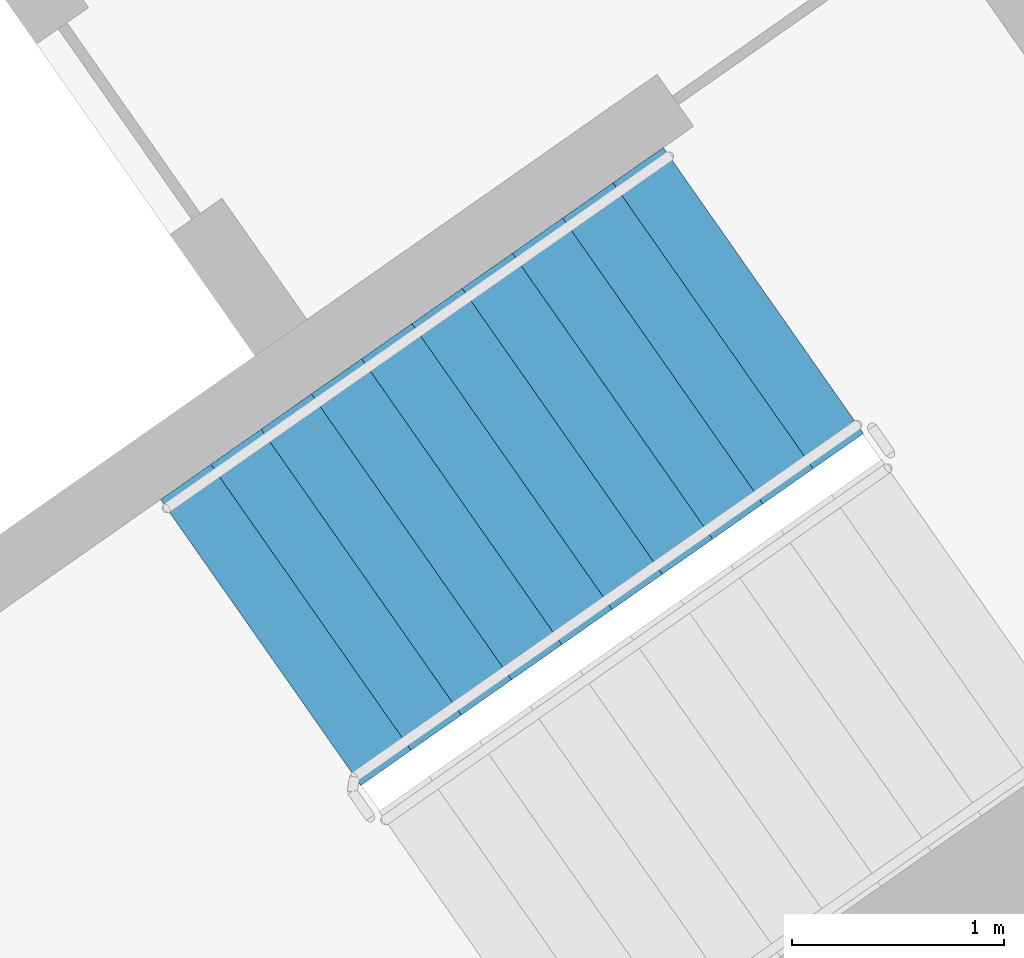
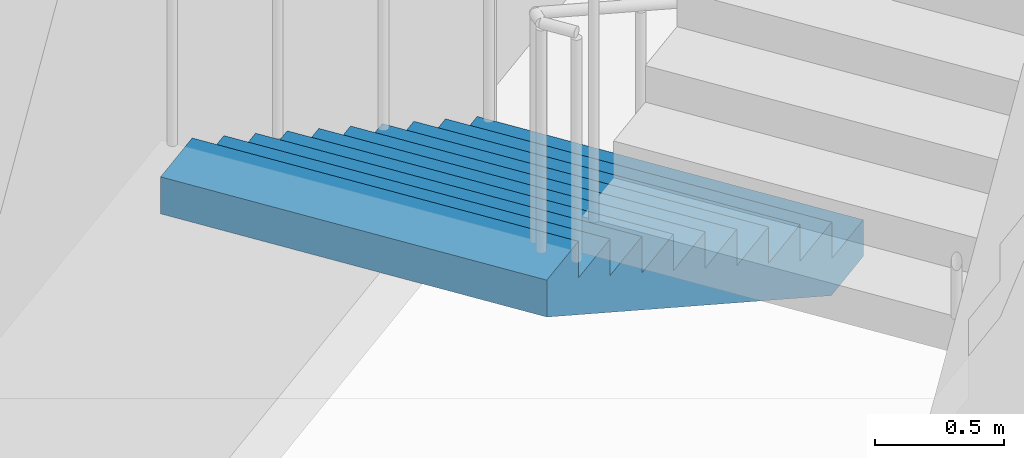
# One storey, part 13 of 27: 1 stair flight, 1 element without a shape of its own.
"""IFC4 building model written with IfcOpenShell, lengths in metres."""

import ifcopenshell
import ifcopenshell.guid

model = None  # the IFC model being written
_history = None  # IfcOwnerHistory: only IFC2X3 demands one
_inside = {}  # id of a spatial element -> (the spatial element, [elements in it])
_under = {}  # id of a project, library or spatial element -> (it, [spatial elements below it])
_declared = {}  # id of a project -> (the project, [libraries it declares])
_typed = {}  # id of a type object -> (the type object, [elements of that type])
_made_of = {}  # id of a material, layer set ... -> (it, [elements and type objects made of it])


def new_model(schema):
    """Start an empty IFC model of exactly this schema.

    Asked for "IFC4X3", IfcOpenShell would pick the latest addendum, in which some entities
    have other attributes; the version numbers below select the first issue.
    IFC2X3 requires an IfcOwnerHistory on every rooted entity: one is made here for all.
    """
    global model, _history
    if schema == "IFC4X3":
        model = ifcopenshell.file(schema_version=(4, 3, 0, 0))
    else:
        model = ifcopenshell.file(schema=schema)
    _inside.clear()
    _under.clear()
    _declared.clear()
    _typed.clear()
    _made_of.clear()
    _history = None
    if model.schema == "IFC2X3":
        org = make("IfcOrganization", Name="unknown")
        user = make(
            "IfcPersonAndOrganization",
            ThePerson=make("IfcPerson", FamilyName="unknown"),
            TheOrganization=org,
        )
        app = make(
            "IfcApplication",
            ApplicationDeveloper=org,
            Version="unknown",
            ApplicationFullName="unknown",
            ApplicationIdentifier="unknown",
        )
        _history = make(
            "IfcOwnerHistory",
            OwningUser=user,
            OwningApplication=app,
            ChangeAction="ADDED",
            CreationDate=0,
        )
    return model


def make(cls, **values):
    """One entity of the class cls with the attributes given. An attribute that is None is left unset."""
    return model.create_entity(
        cls, **{name: value for name, value in values.items() if value is not None}
    )


def rooted(cls, **values):
    """An entity with a GlobalId (a new one), such as an element, a storey or a relation."""
    return make(cls, GlobalId=ifcopenshell.guid.new(), OwnerHistory=_history, **values)


def si_unit(unit_type, name, prefix=None):
    """IfcSIUnit, for example si_unit("LENGTHUNIT", "METRE", prefix="MILLI")."""
    return make("IfcSIUnit", UnitType=unit_type, Prefix=prefix, Name=name)


def assignment(units):
    """IfcUnitAssignment: the units of a project."""
    return None if units is None else make("IfcUnitAssignment", Units=units)


def point(xyz):
    """IfcCartesianPoint."""
    return None if xyz is None else make("IfcCartesianPoint", Coordinates=xyz)


def direction(xyz):
    """IfcDirection."""
    return None if xyz is None else make("IfcDirection", DirectionRatios=xyz)


def frame(location, z_axis=None, x_axis=None):
    """IfcAxis2Placement3D, a coordinate frame: its origin and axes. An axis left out is left unset."""
    return make(
        "IfcAxis2Placement3D",
        Location=point(location),
        Axis=direction(z_axis),
        RefDirection=direction(x_axis),
    )


def origin():
    """The frame at (0, 0, 0) with its axes left unset."""
    return frame((0.0, 0.0, 0.0))


def place(relative_to, where):
    """IfcLocalPlacement: puts the frame where relative to a parent placement (None: the world)."""
    return make(
        "IfcLocalPlacement", PlacementRelTo=relative_to, RelativePlacement=where
    )


def context(
    kind, dimensions, precision=None, world=None, true_north=None, identifier=None
):
    """IfcGeometricRepresentationContext, for example the 3D "Model" context."""
    return make(
        "IfcGeometricRepresentationContext",
        ContextIdentifier=identifier,
        ContextType=kind,
        CoordinateSpaceDimension=dimensions,
        Precision=precision,
        WorldCoordinateSystem=world,
        TrueNorth=true_north,
    )


def subcontext(parent, identifier, kind, view, scale=None):
    """IfcGeometricRepresentationSubContext, for example "Body" below "Model"."""
    return make(
        "IfcGeometricRepresentationSubContext",
        ContextIdentifier=identifier,
        ContextType=kind,
        ParentContext=parent,
        TargetScale=scale,
        TargetView=view,
    )


def project(units=None, contexts=None):
    """IfcProject with its units and contexts."""
    return rooted(
        "IfcProject",
        Name="project",
        RepresentationContexts=contexts,
        UnitsInContext=assignment(units),
    )


def spatial(cls, under=None, at=None, **own):
    """A site, building, storey or space (cls), placed at a placement, below another one or the project."""
    s = rooted(cls, ObjectPlacement=at, **own)
    if under is not None:
        _under.setdefault(under.id(), (under, []))[1].append(s)
    return s


def faces_of(points, faces, orient=None, outer=None):
    """IfcFace entities. A face is a list of loops; a loop is a list of indices into points, from 0.

    orient and outer hold one flag for each loop. By default every Orientation is true, the
    first loop of a face is its IfcFaceOuterBound and the others are IfcFaceBound.
    """
    made = []
    for i, loops in enumerate(faces):
        bounds = []
        for j, loop in enumerate(loops):
            is_outer = j == 0 if outer is None else outer[i][j]
            bounds.append(
                make(
                    "IfcFaceOuterBound" if is_outer else "IfcFaceBound",
                    Bound=make("IfcPolyLoop", Polygon=[points[k] for k in loop]),
                    Orientation=True if orient is None else orient[i][j],
                )
            )
        made.append(make("IfcFace", Bounds=bounds))
    return made


def faceted_brep(points, faces, orient=None, outer=None, voids=None):
    """IfcFacetedBrep: a solid bounded by flat faces; with voids (closed shells), ...WithVoids."""
    shared = [point(p) for p in points]
    hull = make("IfcClosedShell", CfsFaces=faces_of(shared, faces, orient, outer))
    if voids is None:
        return make("IfcFacetedBrep", Outer=hull)
    return make(
        "IfcFacetedBrepWithVoids",
        Outer=hull,
        Voids=[
            make(cls, CfsFaces=faces_of(shared, fs, o, b)) for cls, fs, o, b in voids
        ],
    )


def shape(context_of_items, identifier, shape_type, items):
    """IfcShapeRepresentation: the items that make up one representation, for example the "Body"."""
    return make(
        "IfcShapeRepresentation",
        ContextOfItems=context_of_items,
        RepresentationIdentifier=identifier,
        RepresentationType=shape_type,
        Items=items,
    )


def material(Name=None, Category=None):
    """IfcMaterial."""
    return make("IfcMaterial", Name=Name, Category=Category)


def made_of(thing, what):
    """Note that an element or type object is made of a material, layer set ...; save() writes the relation."""
    if what is not None:
        _made_of.setdefault(what.id(), (what, []))[1].append(thing)
    return thing


def type_object(cls, material=None, **own):
    """A type object (cls), such as IfcWallType, which elements share."""
    return made_of(rooted(cls, **own), material)


def element(
    cls,
    number,
    at=None,
    inside=None,
    cuts=None,
    type_object=None,
    material=None,
    context=None,
    identifier="Body",
    shape_type=None,
    held_by="IfcProductDefinitionShape",
    body=None,
    shapes=None,
    **own,
):
    """One element of the class cls, such as IfcWall. Its Tag is "e" and its number.

    at: its placement. inside: the storey or other place that contains it. cuts: it is an
    opening in that element (IfcRelVoidsElement). A single representation is given by context,
    identifier, shape_type and body (its items); several are given by shapes. held_by: the class
    of the entity that holds the representations. save() writes the other relations.
    """
    e = rooted(cls, Tag="e%d" % number, ObjectPlacement=at, **own)
    if body is not None:
        shapes = [shape(context, identifier, shape_type, body)]
    if shapes is not None:
        e.Representation = make(held_by, Representations=shapes)
    if inside is not None:
        _inside.setdefault(inside.id(), (inside, []))[1].append(e)
    if cuts is not None:
        rooted(
            "IfcRelVoidsElement", RelatingBuildingElement=cuts, RelatedOpeningElement=e
        )
    if type_object is not None:
        _typed.setdefault(type_object.id(), (type_object, []))[1].append(e)
    return made_of(e, material)


def aggregate(whole, parts):
    """IfcRelAggregates: a whole, such as a stair, and the parts it consists of."""
    return rooted("IfcRelAggregates", RelatingObject=whole, RelatedObjects=parts)


def save(model, path):
    """Write the relations noted so far, then the file.

    IfcRelAggregates (storeys below a building ...), IfcRelContainedInSpatialStructure (elements
    in a storey), IfcRelDefinesByType, IfcRelAssociatesMaterial and IfcRelDeclares: one each for
    every whole, place, type object, material and project.
    """
    for whole, parts in _under.values():
        aggregate(whole, parts)
    for where, things in _inside.values():
        rooted(
            "IfcRelContainedInSpatialStructure",
            RelatedElements=things,
            RelatingStructure=where,
        )
    for kind, things in _typed.values():
        rooted("IfcRelDefinesByType", RelatedObjects=things, RelatingType=kind)
    for what, things in _made_of.values():
        rooted("IfcRelAssociatesMaterial", RelatedObjects=things, RelatingMaterial=what)
    for by, libraries in _declared.values():
        rooted("IfcRelDeclares", RelatingContext=by, RelatedDefinitions=libraries)
    model.write(path)


model = new_model("IFC4")

# Units and contexts
model_context = context("Model", 3, precision=1e-05, world=origin(), true_north=direction((0.0, 1.0)))
body_context = subcontext(model_context, "Body", "Model", "MODEL_VIEW")
ifc_project = project(units=[si_unit("LENGTHUNIT", "METRE"), si_unit("AREAUNIT", "SQUARE_METRE"), si_unit("VOLUMEUNIT", "CUBIC_METRE"), si_unit("PLANEANGLEUNIT", "RADIAN"), si_unit("MASSUNIT", "GRAM", prefix="KILO")], contexts=[model_context])

# Site, building, storey
site_placement = place(None, origin())
site = spatial("IfcSite", under=ifc_project, at=site_placement, CompositionType="ELEMENT")
building_placement = place(site_placement, origin())
building = spatial("IfcBuilding", under=site, at=building_placement, Name="Qamariyya Broadcast Tower", CompositionType="ELEMENT")
storey_placement = place(building_placement, frame((0.0, 0.0, 172.10009765625)))
storey = spatial("IfcBuildingStorey", under=building, at=storey_placement, Name="L40", CompositionType="ELEMENT", Elevation=172.10009765625)

# Stair, stair flight
ifc_material = material(Name="Concrete C50/60", Category="concrete")
stair_type = type_object("IfcStairType", Name="Exit stair 22 risers of 173 mm", PredefinedType="HALF_TURN_STAIR", material=ifc_material)
stair_placement = place(storey_placement, origin())
stair = element("IfcStair", 1, at=stair_placement, inside=storey, type_object=stair_type, Name="L40 Stair E1", PredefinedType="HALF_TURN_STAIR")
stair_flight_type = type_object("IfcStairFlightType", Name="Exit stair flight 11 risers of 173 mm", PredefinedType="STRAIGHT", material=ifc_material)
stair_flight_placement = place(storey_placement, frame((46.036376953125, -55.508056640625, 0.0), z_axis=(0.0, 0.0, 1.0), x_axis=(-0.819152044289, -0.573576436351, 0.0)))
stair_flight = element("IfcStairFlight", 2, at=stair_flight_placement, type_object=stair_flight_type, Name="ST-E1 flight 1", NumberOfRisers=11, NumberOfTreads=10, PredefinedType="STRAIGHT", RiserHeight=0.172727273, TreadLength=0.29, context=body_context, shape_type="Brep", body=[
    faceted_brep([(0.0, 0.824951171875, 0.0), (0.0, 0.824951171875, 0.172607421875), (0.2900390625, 0.824951171875, 0.172607421875), (0.2900390625, 0.824951171875, 0.345458984375), (0.580078125, 0.824951171875, 0.345458984375), (0.580078125, 0.824951171875, 0.51806640625), (0.8701171875, 0.824951171875, 0.51806640625), (0.8701171875, 0.824951171875, 0.69091796875), (1.159912109375, 0.824951171875, 0.69091796875), (1.159912109375, 0.824951171875, 0.863525390625), (1.449951171875, 0.824951171875, 0.863525390625), (1.449951171875, 0.824951171875, 1.036376953125), (1.739990234375, 0.824951171875, 1.036376953125), (1.739990234375, 0.824951171875, 1.208984375), (2.030029296875, 0.824951171875, 1.208984375), (2.030029296875, 0.824951171875, 1.3818359375), (2.320068359375, 0.824951171875, 1.3818359375), (2.320068359375, 0.824951171875, 1.554443359375), (2.610107421875, 0.824951171875, 1.554443359375), (2.610107421875, 0.824951171875, 1.727294921875), (2.89990234375, 0.824951171875, 1.727294921875), (2.89990234375, 0.824951171875, 1.552734375), (0.29296875, 0.824951171875, 0.0), (0.29296875, -0.824951171875, 0.0), (2.89990234375, -0.824951171875, 1.552734375), (2.89990234375, -0.824951171875, 1.727294921875), (2.610107421875, -0.824951171875, 1.727294921875), (2.610107421875, -0.824951171875, 1.554443359375), (2.320068359375, -0.824951171875, 1.554443359375), (2.320068359375, -0.824951171875, 1.3818359375), (2.030029296875, -0.824951171875, 1.3818359375), (2.030029296875, -0.824951171875, 1.208984375), (1.739990234375, -0.824951171875, 1.208984375), (1.739990234375, -0.824951171875, 1.036376953125), (1.449951171875, -0.824951171875, 1.036376953125), (1.449951171875, -0.824951171875, 0.863525390625), (1.159912109375, -0.824951171875, 0.863525390625), (1.159912109375, -0.824951171875, 0.69091796875), (0.8701171875, -0.824951171875, 0.69091796875), (0.8701171875, -0.824951171875, 0.51806640625), (0.580078125, -0.824951171875, 0.51806640625), (0.580078125, -0.824951171875, 0.345458984375), (0.2900390625, -0.824951171875, 0.345458984375), (0.2900390625, -0.824951171875, 0.172607421875), (0.0, -0.824951171875, 0.172607421875), (0.0, -0.824951171875, 0.0), (0.0, 0.10009765625, 0.0), (0.0, 0.086669921875, 0.0), (0.0, 0.0732421875, 0.0), (0.0, 0.06005859375, 0.0), (0.0, 0.046630859375, 0.0), (0.0, 0.033447265625, 0.0), (0.0, 0.02001953125, 0.0), (0.0, 0.006591796875, 0.0), (0.0, -0.006591796875, 0.0), (0.0, -0.02001953125, 0.0), (0.0, -0.033447265625, 0.0), (0.0, -0.046630859375, 0.0), (0.0, -0.06005859375, 0.0), (0.0, -0.0732421875, 0.0), (0.0, -0.086669921875, 0.0), (0.0, -0.10009765625, 0.0), (0.0, -0.10009765625, 0.172607421875), (0.0, -0.086669921875, 0.172607421875), (0.0, -0.0732421875, 0.172607421875), (0.0, -0.06005859375, 0.172607421875), (0.0, -0.046630859375, 0.172607421875), (0.0, -0.033447265625, 0.172607421875), (0.0, -0.02001953125, 0.172607421875), (0.0, -0.006591796875, 0.172607421875), (0.0, 0.006591796875, 0.172607421875), (0.0, 0.02001953125, 0.172607421875), (0.0, 0.033447265625, 0.172607421875), (0.0, 0.046630859375, 0.172607421875), (0.0, 0.06005859375, 0.172607421875), (0.0, 0.0732421875, 0.172607421875), (0.0, 0.086669921875, 0.172607421875), (0.0, 0.10009765625, 0.172607421875), (0.2900390625, -0.10009765625, 0.172607421875), (0.2900390625, -0.086669921875, 0.172607421875), (0.2900390625, -0.0732421875, 0.172607421875), (0.2900390625, -0.06005859375, 0.172607421875), (0.2900390625, -0.046630859375, 0.172607421875), (0.2900390625, -0.033447265625, 0.172607421875), (0.2900390625, -0.02001953125, 0.172607421875), (0.2900390625, -0.006591796875, 0.172607421875), (0.2900390625, 0.006591796875, 0.172607421875), (0.2900390625, 0.02001953125, 0.172607421875), (0.2900390625, 0.033447265625, 0.172607421875), (0.2900390625, 0.046630859375, 0.172607421875), (0.2900390625, 0.06005859375, 0.172607421875), (0.2900390625, 0.0732421875, 0.172607421875), (0.2900390625, 0.086669921875, 0.172607421875), (0.2900390625, 0.10009765625, 0.172607421875), (0.2900390625, -0.10009765625, 0.345458984375), (0.2900390625, -0.086669921875, 0.345458984375), (0.2900390625, -0.0732421875, 0.345458984375), (0.2900390625, -0.06005859375, 0.345458984375), (0.2900390625, -0.046630859375, 0.345458984375), (0.2900390625, -0.033447265625, 0.345458984375), (0.2900390625, -0.02001953125, 0.345458984375), (0.2900390625, -0.006591796875, 0.345458984375), (0.2900390625, 0.006591796875, 0.345458984375), (0.2900390625, 0.02001953125, 0.345458984375), (0.2900390625, 0.033447265625, 0.345458984375), (0.2900390625, 0.046630859375, 0.345458984375), (0.2900390625, 0.06005859375, 0.345458984375), (0.2900390625, 0.0732421875, 0.345458984375), (0.2900390625, 0.086669921875, 0.345458984375), (0.2900390625, 0.10009765625, 0.345458984375), (0.580078125, -0.10009765625, 0.345458984375), (0.580078125, -0.086669921875, 0.345458984375), (0.580078125, -0.0732421875, 0.345458984375), (0.580078125, -0.06005859375, 0.345458984375), (0.580078125, -0.046630859375, 0.345458984375), (0.580078125, -0.033447265625, 0.345458984375), (0.580078125, -0.02001953125, 0.345458984375), (0.580078125, -0.006591796875, 0.345458984375), (0.580078125, 0.006591796875, 0.345458984375), (0.580078125, 0.02001953125, 0.345458984375), (0.580078125, 0.033447265625, 0.345458984375), (0.580078125, 0.046630859375, 0.345458984375), (0.580078125, 0.06005859375, 0.345458984375), (0.580078125, 0.0732421875, 0.345458984375), (0.580078125, 0.086669921875, 0.345458984375), (0.580078125, 0.10009765625, 0.345458984375), (0.580078125, -0.10009765625, 0.51806640625), (0.580078125, -0.086669921875, 0.51806640625), (0.580078125, -0.0732421875, 0.51806640625), (0.580078125, -0.06005859375, 0.51806640625), (0.580078125, -0.046630859375, 0.51806640625), (0.580078125, -0.033447265625, 0.51806640625), (0.580078125, -0.02001953125, 0.51806640625), (0.580078125, -0.006591796875, 0.51806640625), (0.580078125, 0.006591796875, 0.51806640625), (0.580078125, 0.02001953125, 0.51806640625), (0.580078125, 0.033447265625, 0.51806640625), (0.580078125, 0.046630859375, 0.51806640625), (0.580078125, 0.06005859375, 0.51806640625), (0.580078125, 0.0732421875, 0.51806640625), (0.580078125, 0.086669921875, 0.51806640625), (0.580078125, 0.10009765625, 0.51806640625), (0.8701171875, -0.10009765625, 0.51806640625), (0.8701171875, -0.086669921875, 0.51806640625), (0.8701171875, -0.0732421875, 0.51806640625), (0.8701171875, -0.06005859375, 0.51806640625), (0.8701171875, -0.046630859375, 0.51806640625), (0.8701171875, -0.033447265625, 0.51806640625), (0.8701171875, -0.02001953125, 0.51806640625), (0.8701171875, -0.006591796875, 0.51806640625), (0.8701171875, 0.006591796875, 0.51806640625), (0.8701171875, 0.02001953125, 0.51806640625), (0.8701171875, 0.033447265625, 0.51806640625), (0.8701171875, 0.046630859375, 0.51806640625), (0.8701171875, 0.06005859375, 0.51806640625), (0.8701171875, 0.0732421875, 0.51806640625), (0.8701171875, 0.086669921875, 0.51806640625), (0.8701171875, 0.10009765625, 0.51806640625), (0.8701171875, -0.10009765625, 0.69091796875), (0.8701171875, -0.086669921875, 0.69091796875), (0.8701171875, -0.0732421875, 0.69091796875), (0.8701171875, -0.06005859375, 0.69091796875), (0.8701171875, -0.046630859375, 0.69091796875), (0.8701171875, -0.033447265625, 0.69091796875), (0.8701171875, -0.02001953125, 0.69091796875), (0.8701171875, -0.006591796875, 0.69091796875), (0.8701171875, 0.006591796875, 0.69091796875), (0.8701171875, 0.02001953125, 0.69091796875), (0.8701171875, 0.033447265625, 0.69091796875), (0.8701171875, 0.046630859375, 0.69091796875), (0.8701171875, 0.06005859375, 0.69091796875), (0.8701171875, 0.0732421875, 0.69091796875), (0.8701171875, 0.086669921875, 0.69091796875), (0.8701171875, 0.10009765625, 0.69091796875), (1.159912109375, -0.10009765625, 0.69091796875), (1.159912109375, -0.086669921875, 0.69091796875), (1.159912109375, -0.0732421875, 0.69091796875), (1.159912109375, -0.06005859375, 0.69091796875), (1.159912109375, -0.046630859375, 0.69091796875), (1.159912109375, -0.033447265625, 0.69091796875), (1.159912109375, -0.02001953125, 0.69091796875), (1.159912109375, -0.006591796875, 0.69091796875), (1.159912109375, 0.006591796875, 0.69091796875), (1.159912109375, 0.02001953125, 0.69091796875), (1.159912109375, 0.033447265625, 0.69091796875), (1.159912109375, 0.046630859375, 0.69091796875), (1.159912109375, 0.06005859375, 0.69091796875), (1.159912109375, 0.0732421875, 0.69091796875), (1.159912109375, 0.086669921875, 0.69091796875), (1.159912109375, 0.10009765625, 0.69091796875), (1.159912109375, -0.10009765625, 0.863525390625), (1.159912109375, -0.086669921875, 0.863525390625), (1.159912109375, -0.0732421875, 0.863525390625), (1.159912109375, -0.06005859375, 0.863525390625), (1.159912109375, -0.046630859375, 0.863525390625), (1.159912109375, -0.033447265625, 0.863525390625), (1.159912109375, -0.02001953125, 0.863525390625), (1.159912109375, -0.006591796875, 0.863525390625), (1.159912109375, 0.006591796875, 0.863525390625), (1.159912109375, 0.02001953125, 0.863525390625), (1.159912109375, 0.033447265625, 0.863525390625), (1.159912109375, 0.046630859375, 0.863525390625), (1.159912109375, 0.06005859375, 0.863525390625), (1.159912109375, 0.0732421875, 0.863525390625), (1.159912109375, 0.086669921875, 0.863525390625), (1.159912109375, 0.10009765625, 0.863525390625), (1.449951171875, -0.10009765625, 0.863525390625), (1.449951171875, -0.086669921875, 0.863525390625), (1.449951171875, -0.0732421875, 0.863525390625), (1.449951171875, -0.06005859375, 0.863525390625), (1.449951171875, -0.046630859375, 0.863525390625), (1.449951171875, -0.033447265625, 0.863525390625), (1.449951171875, -0.02001953125, 0.863525390625), (1.449951171875, -0.006591796875, 0.863525390625), (1.449951171875, 0.006591796875, 0.863525390625), (1.449951171875, 0.02001953125, 0.863525390625), (1.449951171875, 0.033447265625, 0.863525390625), (1.449951171875, 0.046630859375, 0.863525390625), (1.449951171875, 0.06005859375, 0.863525390625), (1.449951171875, 0.0732421875, 0.863525390625), (1.449951171875, 0.086669921875, 0.863525390625), (1.449951171875, 0.10009765625, 0.863525390625), (1.449951171875, -0.10009765625, 1.036376953125), (1.449951171875, -0.086669921875, 1.036376953125), (1.449951171875, -0.0732421875, 1.036376953125), (1.449951171875, -0.06005859375, 1.036376953125), (1.449951171875, -0.046630859375, 1.036376953125), (1.449951171875, -0.033447265625, 1.036376953125), (1.449951171875, -0.02001953125, 1.036376953125), (1.449951171875, -0.006591796875, 1.036376953125), (1.449951171875, 0.006591796875, 1.036376953125), (1.449951171875, 0.02001953125, 1.036376953125), (1.449951171875, 0.033447265625, 1.036376953125), (1.449951171875, 0.046630859375, 1.036376953125), (1.449951171875, 0.06005859375, 1.036376953125), (1.449951171875, 0.0732421875, 1.036376953125), (1.449951171875, 0.086669921875, 1.036376953125), (1.449951171875, 0.10009765625, 1.036376953125), (1.739990234375, -0.10009765625, 1.036376953125), (1.739990234375, -0.086669921875, 1.036376953125), (1.739990234375, -0.0732421875, 1.036376953125), (1.739990234375, -0.06005859375, 1.036376953125), (1.739990234375, -0.046630859375, 1.036376953125), (1.739990234375, -0.033447265625, 1.036376953125), (1.739990234375, -0.02001953125, 1.036376953125), (1.739990234375, -0.006591796875, 1.036376953125), (1.739990234375, 0.006591796875, 1.036376953125), (1.739990234375, 0.02001953125, 1.036376953125), (1.739990234375, 0.033447265625, 1.036376953125), (1.739990234375, 0.046630859375, 1.036376953125), (1.739990234375, 0.06005859375, 1.036376953125), (1.739990234375, 0.0732421875, 1.036376953125), (1.739990234375, 0.086669921875, 1.036376953125), (1.739990234375, 0.10009765625, 1.036376953125), (1.739990234375, -0.10009765625, 1.208984375), (1.739990234375, -0.086669921875, 1.208984375), (1.739990234375, -0.0732421875, 1.208984375), (1.739990234375, -0.06005859375, 1.208984375), (1.739990234375, -0.046630859375, 1.208984375), (1.739990234375, -0.033447265625, 1.208984375), (1.739990234375, -0.02001953125, 1.208984375), (1.739990234375, -0.006591796875, 1.208984375), (1.739990234375, 0.006591796875, 1.208984375), (1.739990234375, 0.02001953125, 1.208984375), (1.739990234375, 0.033447265625, 1.208984375), (1.739990234375, 0.046630859375, 1.208984375), (1.739990234375, 0.06005859375, 1.208984375), (1.739990234375, 0.0732421875, 1.208984375), (1.739990234375, 0.086669921875, 1.208984375), (1.739990234375, 0.10009765625, 1.208984375), (2.030029296875, -0.10009765625, 1.208984375), (2.030029296875, -0.086669921875, 1.208984375), (2.030029296875, -0.0732421875, 1.208984375), (2.030029296875, -0.06005859375, 1.208984375), (2.030029296875, -0.046630859375, 1.208984375), (2.030029296875, -0.033447265625, 1.208984375), (2.030029296875, -0.02001953125, 1.208984375), (2.030029296875, -0.006591796875, 1.208984375), (2.030029296875, 0.006591796875, 1.208984375), (2.030029296875, 0.02001953125, 1.208984375), (2.030029296875, 0.033447265625, 1.208984375), (2.030029296875, 0.046630859375, 1.208984375), (2.030029296875, 0.06005859375, 1.208984375), (2.030029296875, 0.0732421875, 1.208984375), (2.030029296875, 0.086669921875, 1.208984375), (2.030029296875, 0.10009765625, 1.208984375), (2.030029296875, -0.10009765625, 1.3818359375), (2.030029296875, -0.086669921875, 1.3818359375), (2.030029296875, -0.0732421875, 1.3818359375), (2.030029296875, -0.06005859375, 1.3818359375), (2.030029296875, -0.046630859375, 1.3818359375), (2.030029296875, -0.033447265625, 1.3818359375), (2.030029296875, -0.02001953125, 1.3818359375), (2.030029296875, -0.006591796875, 1.3818359375), (2.030029296875, 0.006591796875, 1.3818359375), (2.030029296875, 0.02001953125, 1.3818359375), (2.030029296875, 0.033447265625, 1.3818359375), (2.030029296875, 0.046630859375, 1.3818359375), (2.030029296875, 0.06005859375, 1.3818359375), (2.030029296875, 0.0732421875, 1.3818359375), (2.030029296875, 0.086669921875, 1.3818359375), (2.030029296875, 0.10009765625, 1.3818359375), (2.320068359375, -0.10009765625, 1.3818359375), (2.320068359375, -0.086669921875, 1.3818359375), (2.320068359375, -0.0732421875, 1.3818359375), (2.320068359375, -0.06005859375, 1.3818359375), (2.320068359375, -0.046630859375, 1.3818359375), (2.320068359375, -0.033447265625, 1.3818359375), (2.320068359375, -0.02001953125, 1.3818359375), (2.320068359375, -0.006591796875, 1.3818359375), (2.320068359375, 0.006591796875, 1.3818359375), (2.320068359375, 0.02001953125, 1.3818359375), (2.320068359375, 0.033447265625, 1.3818359375), (2.320068359375, 0.046630859375, 1.3818359375), (2.320068359375, 0.06005859375, 1.3818359375), (2.320068359375, 0.0732421875, 1.3818359375), (2.320068359375, 0.086669921875, 1.3818359375), (2.320068359375, 0.10009765625, 1.3818359375), (2.320068359375, -0.10009765625, 1.554443359375), (2.320068359375, -0.086669921875, 1.554443359375), (2.320068359375, -0.0732421875, 1.554443359375), (2.320068359375, -0.06005859375, 1.554443359375), (2.320068359375, -0.046630859375, 1.554443359375), (2.320068359375, -0.033447265625, 1.554443359375), (2.320068359375, -0.02001953125, 1.554443359375), (2.320068359375, -0.006591796875, 1.554443359375), (2.320068359375, 0.006591796875, 1.554443359375), (2.320068359375, 0.02001953125, 1.554443359375), (2.320068359375, 0.033447265625, 1.554443359375), (2.320068359375, 0.046630859375, 1.554443359375), (2.320068359375, 0.06005859375, 1.554443359375), (2.320068359375, 0.0732421875, 1.554443359375), (2.320068359375, 0.086669921875, 1.554443359375), (2.320068359375, 0.10009765625, 1.554443359375), (2.610107421875, -0.10009765625, 1.554443359375), (2.610107421875, -0.086669921875, 1.554443359375), (2.610107421875, -0.0732421875, 1.554443359375), (2.610107421875, -0.06005859375, 1.554443359375), (2.610107421875, -0.046630859375, 1.554443359375), (2.610107421875, -0.033447265625, 1.554443359375), (2.610107421875, -0.02001953125, 1.554443359375), (2.610107421875, -0.006591796875, 1.554443359375), (2.610107421875, 0.006591796875, 1.554443359375), (2.610107421875, 0.02001953125, 1.554443359375), (2.610107421875, 0.033447265625, 1.554443359375), (2.610107421875, 0.046630859375, 1.554443359375), (2.610107421875, 0.06005859375, 1.554443359375), (2.610107421875, 0.0732421875, 1.554443359375), (2.610107421875, 0.086669921875, 1.554443359375), (2.610107421875, 0.10009765625, 1.554443359375), (2.610107421875, -0.10009765625, 1.727294921875), (2.610107421875, -0.086669921875, 1.727294921875), (2.610107421875, -0.0732421875, 1.727294921875), (2.610107421875, -0.06005859375, 1.727294921875), (2.610107421875, -0.046630859375, 1.727294921875), (2.610107421875, -0.033447265625, 1.727294921875), (2.610107421875, -0.02001953125, 1.727294921875), (2.610107421875, -0.006591796875, 1.727294921875), (2.610107421875, 0.006591796875, 1.727294921875), (2.610107421875, 0.02001953125, 1.727294921875), (2.610107421875, 0.033447265625, 1.727294921875), (2.610107421875, 0.046630859375, 1.727294921875), (2.610107421875, 0.06005859375, 1.727294921875), (2.610107421875, 0.0732421875, 1.727294921875), (2.610107421875, 0.086669921875, 1.727294921875), (2.610107421875, 0.10009765625, 1.727294921875), (2.89990234375, -0.10009765625, 1.727294921875), (2.89990234375, -0.086669921875, 1.727294921875), (2.89990234375, -0.0732421875, 1.727294921875), (2.89990234375, -0.06005859375, 1.727294921875), (2.89990234375, -0.046630859375, 1.727294921875), (2.89990234375, -0.033447265625, 1.727294921875), (2.89990234375, -0.02001953125, 1.727294921875), (2.89990234375, -0.006591796875, 1.727294921875), (2.89990234375, 0.006591796875, 1.727294921875), (2.89990234375, 0.02001953125, 1.727294921875), (2.89990234375, 0.033447265625, 1.727294921875), (2.89990234375, 0.046630859375, 1.727294921875), (2.89990234375, 0.06005859375, 1.727294921875), (2.89990234375, 0.0732421875, 1.727294921875), (2.89990234375, 0.086669921875, 1.727294921875), (2.89990234375, 0.10009765625, 1.727294921875), (2.89990234375, -0.10009765625, 1.552734375), (2.89990234375, -0.086669921875, 1.552734375), (2.89990234375, -0.0732421875, 1.552734375), (2.89990234375, -0.06005859375, 1.552734375), (2.89990234375, -0.046630859375, 1.552734375), (2.89990234375, -0.033447265625, 1.552734375), (2.89990234375, -0.02001953125, 1.552734375), (2.89990234375, -0.006591796875, 1.552734375), (2.89990234375, 0.006591796875, 1.552734375), (2.89990234375, 0.02001953125, 1.552734375), (2.89990234375, 0.033447265625, 1.552734375), (2.89990234375, 0.046630859375, 1.552734375), (2.89990234375, 0.06005859375, 1.552734375), (2.89990234375, 0.0732421875, 1.552734375), (2.89990234375, 0.086669921875, 1.552734375), (2.89990234375, 0.10009765625, 1.552734375), (0.29296875, -0.10009765625, 0.0), (0.29296875, -0.086669921875, 0.0), (0.29296875, -0.0732421875, 0.0), (0.29296875, -0.06005859375, 0.0), (0.29296875, -0.046630859375, 0.0), (0.29296875, -0.033447265625, 0.0), (0.29296875, -0.02001953125, 0.0), (0.29296875, -0.006591796875, 0.0), (0.29296875, 0.006591796875, 0.0), (0.29296875, 0.02001953125, 0.0), (0.29296875, 0.033447265625, 0.0), (0.29296875, 0.046630859375, 0.0), (0.29296875, 0.06005859375, 0.0), (0.29296875, 0.0732421875, 0.0), (0.29296875, 0.086669921875, 0.0), (0.29296875, 0.10009765625, 0.0)], [[[0, 1, 2, 3, 4, 5, 6, 7, 8, 9, 10, 11, 12, 13, 14, 15, 16, 17, 18, 19, 20, 21, 22]], [[23, 24, 25, 26, 27, 28, 29, 30, 31, 32, 33, 34, 35, 36, 37, 38, 39, 40, 41, 42, 43, 44, 45]], [[0, 46, 47, 48, 49, 50, 51, 52, 53, 54, 55, 56, 57, 58, 59, 60, 61, 45, 44, 62, 63, 64, 65, 66, 67, 68, 69, 70, 71, 72, 73, 74, 75, 76, 77, 1]], [[1, 77, 76, 75, 74, 73, 72, 71, 70, 69, 68, 67, 66, 65, 64, 63, 62, 44, 43, 78, 79, 80, 81, 82, 83, 84, 85, 86, 87, 88, 89, 90, 91, 92, 93, 2]], [[2, 93, 92, 91, 90, 89, 88, 87, 86, 85, 84, 83, 82, 81, 80, 79, 78, 43, 42, 94, 95, 96, 97, 98, 99, 100, 101, 102, 103, 104, 105, 106, 107, 108, 109, 3]], [[3, 109, 108, 107, 106, 105, 104, 103, 102, 101, 100, 99, 98, 97, 96, 95, 94, 42, 41, 110, 111, 112, 113, 114, 115, 116, 117, 118, 119, 120, 121, 122, 123, 124, 125, 4]], [[4, 125, 124, 123, 122, 121, 120, 119, 118, 117, 116, 115, 114, 113, 112, 111, 110, 41, 40, 126, 127, 128, 129, 130, 131, 132, 133, 134, 135, 136, 137, 138, 139, 140, 141, 5]], [[5, 141, 140, 139, 138, 137, 136, 135, 134, 133, 132, 131, 130, 129, 128, 127, 126, 40, 39, 142, 143, 144, 145, 146, 147, 148, 149, 150, 151, 152, 153, 154, 155, 156, 157, 6]], [[6, 157, 156, 155, 154, 153, 152, 151, 150, 149, 148, 147, 146, 145, 144, 143, 142, 39, 38, 158, 159, 160, 161, 162, 163, 164, 165, 166, 167, 168, 169, 170, 171, 172, 173, 7]], [[7, 173, 172, 171, 170, 169, 168, 167, 166, 165, 164, 163, 162, 161, 160, 159, 158, 38, 37, 174, 175, 176, 177, 178, 179, 180, 181, 182, 183, 184, 185, 186, 187, 188, 189, 8]], [[8, 189, 188, 187, 186, 185, 184, 183, 182, 181, 180, 179, 178, 177, 176, 175, 174, 37, 36, 190, 191, 192, 193, 194, 195, 196, 197, 198, 199, 200, 201, 202, 203, 204, 205, 9]], [[9, 205, 204, 203, 202, 201, 200, 199, 198, 197, 196, 195, 194, 193, 192, 191, 190, 36, 35, 206, 207, 208, 209, 210, 211, 212, 213, 214, 215, 216, 217, 218, 219, 220, 221, 10]], [[10, 221, 220, 219, 218, 217, 216, 215, 214, 213, 212, 211, 210, 209, 208, 207, 206, 35, 34, 222, 223, 224, 225, 226, 227, 228, 229, 230, 231, 232, 233, 234, 235, 236, 237, 11]], [[11, 237, 236, 235, 234, 233, 232, 231, 230, 229, 228, 227, 226, 225, 224, 223, 222, 34, 33, 238, 239, 240, 241, 242, 243, 244, 245, 246, 247, 248, 249, 250, 251, 252, 253, 12]], [[12, 253, 252, 251, 250, 249, 248, 247, 246, 245, 244, 243, 242, 241, 240, 239, 238, 33, 32, 254, 255, 256, 257, 258, 259, 260, 261, 262, 263, 264, 265, 266, 267, 268, 269, 13]], [[13, 269, 268, 267, 266, 265, 264, 263, 262, 261, 260, 259, 258, 257, 256, 255, 254, 32, 31, 270, 271, 272, 273, 274, 275, 276, 277, 278, 279, 280, 281, 282, 283, 284, 285, 14]], [[14, 285, 284, 283, 282, 281, 280, 279, 278, 277, 276, 275, 274, 273, 272, 271, 270, 31, 30, 286, 287, 288, 289, 290, 291, 292, 293, 294, 295, 296, 297, 298, 299, 300, 301, 15]], [[15, 301, 300, 299, 298, 297, 296, 295, 294, 293, 292, 291, 290, 289, 288, 287, 286, 30, 29, 302, 303, 304, 305, 306, 307, 308, 309, 310, 311, 312, 313, 314, 315, 316, 317, 16]], [[16, 317, 316, 315, 314, 313, 312, 311, 310, 309, 308, 307, 306, 305, 304, 303, 302, 29, 28, 318, 319, 320, 321, 322, 323, 324, 325, 326, 327, 328, 329, 330, 331, 332, 333, 17]], [[17, 333, 332, 331, 330, 329, 328, 327, 326, 325, 324, 323, 322, 321, 320, 319, 318, 28, 27, 334, 335, 336, 337, 338, 339, 340, 341, 342, 343, 344, 345, 346, 347, 348, 349, 18]], [[18, 349, 348, 347, 346, 345, 344, 343, 342, 341, 340, 339, 338, 337, 336, 335, 334, 27, 26, 350, 351, 352, 353, 354, 355, 356, 357, 358, 359, 360, 361, 362, 363, 364, 365, 19]], [[19, 365, 364, 363, 362, 361, 360, 359, 358, 357, 356, 355, 354, 353, 352, 351, 350, 26, 25, 366, 367, 368, 369, 370, 371, 372, 373, 374, 375, 376, 377, 378, 379, 380, 381, 20]], [[20, 381, 380, 379, 378, 377, 376, 375, 374, 373, 372, 371, 370, 369, 368, 367, 366, 25, 24, 382, 383, 384, 385, 386, 387, 388, 389, 390, 391, 392, 393, 394, 395, 396, 397, 21]], [[21, 397, 396, 395, 394, 393, 392, 391, 390, 389, 388, 387, 386, 385, 384, 383, 382, 24, 23, 398, 399, 400, 401, 402, 403, 404, 405, 406, 407, 408, 409, 410, 411, 412, 413, 22]], [[22, 413, 412, 411, 410, 409, 408, 407, 406, 405, 404, 403, 402, 401, 400, 399, 398, 23, 45, 61, 60, 59, 58, 57, 56, 55, 54, 53, 52, 51, 50, 49, 48, 47, 46, 0]]]),
])
aggregate(stair, [stair_flight])

save(model, "model.ifc")
